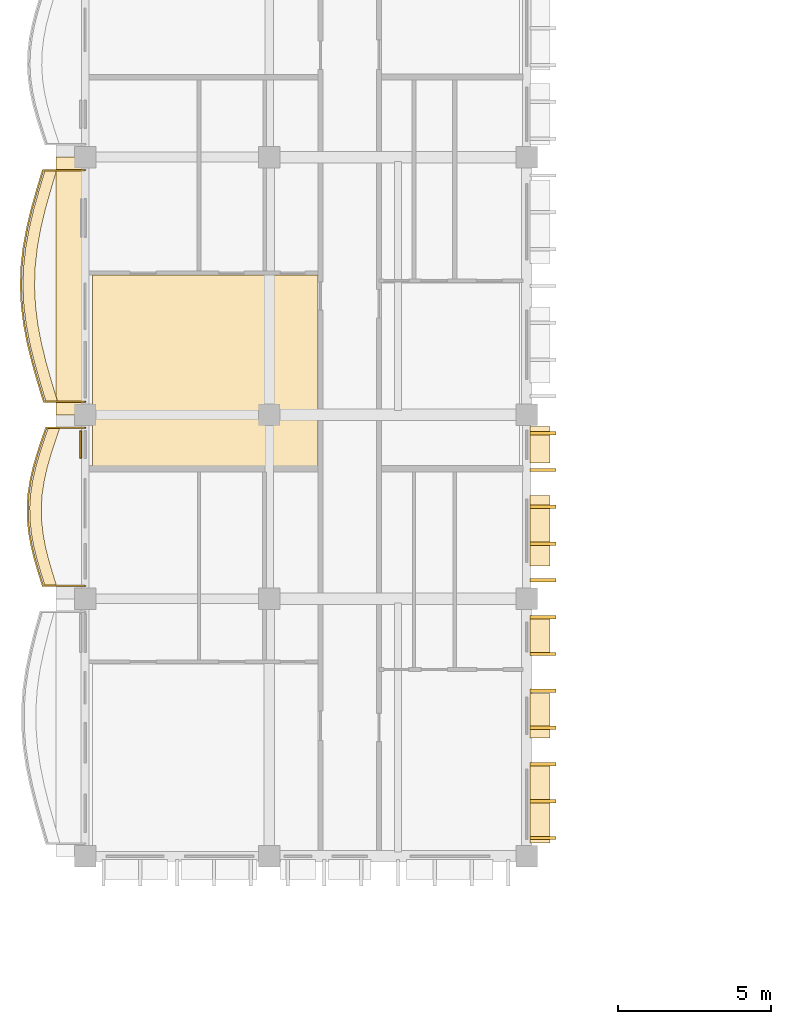
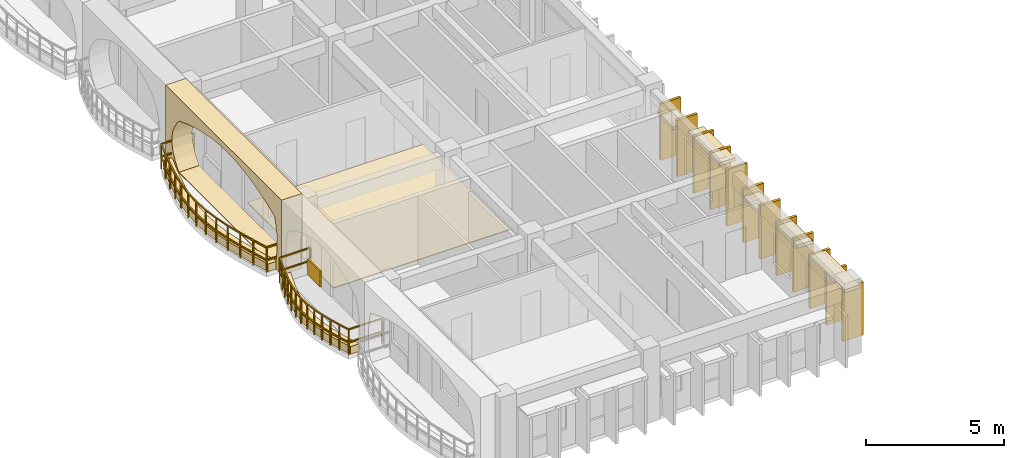
# One storey, part 78 of 101: 22 coverings, 2 railings.
"""IFC4 building model written with IfcOpenShell, lengths in metres."""

from ifc_helpers import new_model, si_unit, direction, frame, origin, origin_2d, place, context, subcontext, project, spatial, polyline, rectangle, outline, extrude, material, layer, layer_set, type_object, element, save


model = new_model("IFC4")

# Units and contexts
model_context = context("Model", 3, precision=1e-05, world=origin(), true_north=direction((0.0, 1.0)))
body_context = subcontext(model_context, "Body", "Model", "MODEL_VIEW")
ifc_project = project(units=[si_unit("LENGTHUNIT", "METRE"), si_unit("AREAUNIT", "SQUARE_METRE"), si_unit("VOLUMEUNIT", "CUBIC_METRE"), si_unit("PLANEANGLEUNIT", "RADIAN"), si_unit("MASSUNIT", "GRAM", prefix="KILO"), si_unit("THERMODYNAMICTEMPERATUREUNIT", "KELVIN")], contexts=[model_context])

# Site, building, storey
site_placement = place(None, origin())
site = spatial("IfcSite", under=ifc_project, at=site_placement, CompositionType="ELEMENT")
building_placement = place(site_placement, origin())
building = spatial("IfcBuilding", under=site, at=building_placement, Name="Thalorik Housing Commons", CompositionType="ELEMENT")
storey_placement = place(building_placement, frame((0.0, 0.0, 8.10009765625)))
storey = spatial("IfcBuildingStorey", under=building, at=storey_placement, Name="L02", CompositionType="ELEMENT", Elevation=8.10009765625)

# Coverings
ifc_material_1 = material(Name="Cobalt blue glazed ceramic facade tile panel", Category="masonry")
ifc_layer_1 = layer(ifc_material_1, 0.06005859375, Name="Cobalt blue glazed ceramic facade tile panel", Category="masonry")
ifc_layer_set_1 = layer_set([ifc_layer_1], Name="Cobalt blue glazed ceramic facade tile panel")
covering_type_1 = type_object("IfcCoveringType", Name="ARC-CLD-BLU-60", PredefinedType="CLADDING", material=ifc_layer_set_1)
covering_1_placement = place(storey_placement, frame((8.257568359375, 85.425048828125, 0.0498046875), z_axis=(0.0, 0.0, 1.0), x_axis=(0.0, -1.0, 0.0)))
element("IfcCovering", 1, at=covering_1_placement, inside=storey, type_object=covering_type_1, Name="L02 De Stijl Recessed Window Spandrel 203", PredefinedType="CLADDING", context=body_context, shape_type="SweptSolid", body=[
    extrude(rectangle(XDim=0.89990234375, YDim=0.06005859375, at=origin_2d()), origin(), (0.0, 0.0, 1.0), 0.699951171875),
])
ifc_material_2 = material(Name="Precast concrete C40/50", Category="concrete")
ifc_layer_2 = layer(ifc_material_2, 0.85009765625, Name="Precast concrete C40/50", Category="concrete")
ifc_layer_set_2 = layer_set([ifc_layer_2], Name="Precast concrete C40/50")
covering_type_2 = type_object("IfcCoveringType", Name="ARC-CLD-CUSH-850", PredefinedType="CLADDING", material=ifc_layer_set_2)
covering_2_placement = place(storey_placement, frame((7.867431640625, 90.60009765625, 0.0), z_axis=(0.0, 0.0, 1.0), x_axis=(0.0, -1.0, 0.0)))
element("IfcCovering", 2, at=covering_2_placement, inside=storey, type_object=covering_type_2, Name="L02 White Precast Curved Cushion Bay Frame 200", PredefinedType="CLADDING", context=body_context, shape_type="SweptSolid", body=[
    extrude(outline(polyline([(-4.199951171875, 0.0), (4.199951171875, 0.0), (4.199951171875, 3.300048828125), (-4.199951171875, 3.300048828125), (-4.199951171875, 0.0)]), holes=[polyline([(3.6923828125, 0.02490234375), (3.799560546875, 0.40087890625), (3.864013671875, 0.776611328125), (3.885498046875, 1.152587890625), (3.864013671875, 1.5283203125), (3.799560546875, 1.904296875), (3.6923828125, 2.280029296875), (3.11474609375, 2.51123046875), (2.537109375, 2.693115234375), (1.95947265625, 2.840087890625), (1.381591796875, 2.94970703125), (0.803955078125, 3.01708984375), (0.226318359375, 3.0400390625), (-0.3515625, 3.01708984375), (-0.92919921875, 2.94970703125), (-1.5068359375, 2.840087890625), (-2.084716796875, 2.693115234375), (-2.662353515625, 2.51123046875), (-3.239990234375, 2.280029296875), (-3.523193359375, 1.904296875), (-3.693359375, 1.5283203125), (-3.75, 1.152587890625), (-3.693359375, 0.776611328125), (-3.523193359375, 0.40087890625), (-3.239990234375, 0.02490234375), (3.6923828125, 0.02490234375)])]), frame((0.0, 0.425048828125, 0.0), z_axis=(0.0, -1.0, 0.0), x_axis=(1.0, 0.0, 0.0)), (0.0, 0.0, 1.0), 0.85009765625),
])
ifc_layer_3 = layer(ifc_material_2, 0.85009765625, Name="Precast concrete C40/50", Category="concrete")
ifc_layer_set_3 = layer_set([ifc_layer_3], Name="Precast concrete C40/50")
covering_type_3 = type_object("IfcCoveringType", Name="ARC-CLD-FIN-850", PredefinedType="CLADDING", material=ifc_layer_set_3)
for number, where, z_axis, x_axis, name in (
    (3, (23.33251953125, 72.60009765625, 0.0400390625), (0.0, 0.0, 1.0), (0.0, 1.0, 0.0), "L02 Courtyard Precast Vertical Brise-Soleil Fin 223"),
    (4, (23.33251953125, 73.800048828125, 0.0400390625), (0.0, 0.0, 1.0), (0.0, 1.0, 0.0), "L02 Courtyard Precast Vertical Brise-Soleil Fin 224"),
    (5, (23.33251953125, 75.0, 0.0400390625), (0.0, 0.0, 1.0), (0.0, 1.0, 0.0), "L02 Courtyard Precast Vertical Brise-Soleil Fin 225"),
    (6, (23.33251953125, 76.199951171875, 0.0400390625), (0.0, 0.0, 1.0), (0.0, 1.0, 0.0), "L02 Courtyard Precast Vertical Brise-Soleil Fin 226"),
    (7, (23.33251953125, 77.39990234375, 0.0400390625), (0.0, 0.0, 1.0), (0.0, 1.0, 0.0), "L02 Courtyard Precast Vertical Brise-Soleil Fin 227"),
    (8, (23.33251953125, 78.60009765625, 0.0400390625), (0.0, 0.0, 1.0), (0.0, 1.0, 0.0), "L02 Courtyard Precast Vertical Brise-Soleil Fin 228"),
    (9, (23.33251953125, 79.800048828125, 0.0400390625), (0.0, 0.0, 1.0), (0.0, 1.0, 0.0), "L02 Courtyard Precast Vertical Brise-Soleil Fin 229"),
):
    element("IfcCovering", number, at=place(storey_placement, frame(where, z_axis=z_axis, x_axis=x_axis)), inside=storey, type_object=covering_type_3, Name=name, PredefinedType="CLADDING", context=body_context, shape_type="SweptSolid", body=[
        extrude(rectangle(XDim=0.110107421875, YDim=0.85009765625, at=origin_2d()), origin(), (0.0, 0.0, 1.0), 2.344970703125),
    ])
for number, where, z_axis, x_axis, name in (
    (10, (23.33251953125, 81.0, 0.039794921875), (0.0, 0.0, 1.0), (0.0, 1.0, 0.0), "L02 Courtyard Precast Vertical Brise-Soleil Fin 233"),
    (11, (23.33251953125, 82.199951171875, 0.039794921875), (0.0, 0.0, 1.0), (0.0, 1.0, 0.0), "L02 Courtyard Precast Vertical Brise-Soleil Fin 234"),
    (12, (23.33251953125, 83.39990234375, 0.039794921875), (0.0, 0.0, 1.0), (0.0, 1.0, 0.0), "L02 Courtyard Precast Vertical Brise-Soleil Fin 235"),
    (13, (23.33251953125, 84.60009765625, 0.039794921875), (0.0, 0.0, 1.0), (0.0, 1.0, 0.0), "L02 Courtyard Precast Vertical Brise-Soleil Fin 236"),
    (14, (23.33251953125, 85.800048828125, 0.039794921875), (0.0, 0.0, 1.0), (0.0, 1.0, 0.0), "L02 Courtyard Precast Vertical Brise-Soleil Fin 237"),
):
    element("IfcCovering", number, at=place(storey_placement, frame(where, z_axis=z_axis, x_axis=x_axis)), inside=storey, type_object=covering_type_3, Name=name, PredefinedType="CLADDING", context=body_context, shape_type="SweptSolid", body=[
        extrude(rectangle(XDim=0.110107421875, YDim=0.85009765625, at=origin_2d()), origin(), (0.0, 0.0, 1.0), 2.4951171875),
    ])
ifc_layer_4 = layer(ifc_material_2, 0.64990234375, Name="Precast concrete C40/50", Category="concrete")
ifc_layer_set_4 = layer_set([ifc_layer_4], Name="Precast concrete C40/50")
covering_type_4 = type_object("IfcCoveringType", Name="ARC-CLD-HOOD-650", PredefinedType="CLADDING", material=ifc_layer_set_4)
covering_3_placement = place(storey_placement, frame((23.232421875, 73.7021484375, 2.25), z_axis=(0.0, 0.0, 1.0), x_axis=(0.0, 1.0, 0.0)))
element("IfcCovering", 15, at=covering_3_placement, inside=storey, type_object=covering_type_4, Name="L02 Courtyard Precast Window Sun-Hood 230", PredefinedType="CLADDING", context=body_context, shape_type="SweptSolid", body=[
    extrude(rectangle(XDim=2.52001953125, YDim=0.64990234375, at=origin_2d()), origin(), (0.0, 0.0, 1.0), 0.139892578125),
])
covering_4_placement = place(storey_placement, frame((23.232421875, 76.586181640625, 2.14013671875), z_axis=(0.0, 0.0, 1.0), x_axis=(0.0, 1.0, 0.0)))
element("IfcCovering", 16, at=covering_4_placement, inside=storey, type_object=covering_type_4, Name="L02 Courtyard Precast Window Sun-Hood 231", PredefinedType="CLADDING", context=body_context, shape_type="SweptSolid", body=[
    extrude(rectangle(XDim=1.43994140625, YDim=0.64990234375, at=origin_2d()), origin(), (0.0, 0.0, 1.0), 0.139892578125),
])
covering_5_placement = place(storey_placement, frame((23.232421875, 79.154296875, 1.93994140625), z_axis=(0.0, 0.0, 1.0), x_axis=(0.0, 1.0, 0.0)))
element("IfcCovering", 17, at=covering_5_placement, inside=storey, type_object=covering_type_4, Name="L02 Courtyard Precast Window Sun-Hood 232", PredefinedType="CLADDING", context=body_context, shape_type="SweptSolid", body=[
    extrude(rectangle(XDim=1.18994140625, YDim=0.64990234375, at=origin_2d()), origin(), (0.0, 0.0, 1.0), 0.139892578125),
])
covering_6_placement = place(storey_placement, frame((23.232421875, 82.614990234375, 2.39013671875), z_axis=(0.0, 0.0, 1.0), x_axis=(0.0, 1.0, 0.0)))
element("IfcCovering", 18, at=covering_6_placement, inside=storey, type_object=covering_type_4, Name="L02 Courtyard Precast Window Sun-Hood 238", PredefinedType="CLADDING", context=body_context, shape_type="SweptSolid", body=[
    extrude(rectangle(XDim=2.2900390625, YDim=0.64990234375, at=origin_2d()), origin(), (0.0, 0.0, 1.0), 0.139892578125),
])
covering_7_placement = place(storey_placement, frame((23.232421875, 85.425048828125, 1.93994140625), z_axis=(0.0, 0.0, 1.0), x_axis=(0.0, 1.0, 0.0)))
element("IfcCovering", 19, at=covering_7_placement, inside=storey, type_object=covering_type_4, Name="L02 Courtyard Precast Window Sun-Hood 239", PredefinedType="CLADDING", context=body_context, shape_type="SweptSolid", body=[
    extrude(rectangle(XDim=1.18994140625, YDim=0.64990234375, at=origin_2d()), origin(), (0.0, 0.0, 1.0), 0.139892578125),
])
ifc_material_3 = material(Name="Epoxy-sealed concrete plant and bicycle hub finish", Category="concrete")
ifc_layer_5 = layer(ifc_material_3, 0.031982421875, Name="Epoxy-sealed concrete plant and bicycle hub finish", Category="concrete")
ifc_layer_set_5 = layer_set([ifc_layer_5], Name="Epoxy-sealed concrete plant and bicycle hub finish")
covering_type_5 = type_object("IfcCoveringType", Name="ARC-COV-FLR-06", PredefinedType="FLOORING", material=ifc_layer_set_5)
covering_8_placement = place(storey_placement, origin())
element("IfcCovering", 20, at=covering_8_placement, inside=storey, type_object=covering_type_5, Name="L02 Living Dining Room Flooring", PredefinedType="FLOORING", context=body_context, shape_type="SweptSolid", body=[
    extrude(outline(polyline([(16.0, 90.955078125), (8.639892578125, 90.955078125), (8.639892578125, 84.719970703125), (16.0, 84.719970703125), (16.0, 90.955078125)])), origin(), (0.0, 0.0, 1.0), 0.031982421875),
])
ifc_material_4 = material(Name="Planted vegetated substrate and terracotta trough", Category="masonry")
ifc_layer_6 = layer(ifc_material_4, 0.340087890625, Name="Planted vegetated substrate and terracotta trough", Category="masonry")
ifc_layer_set_6 = layer_set([ifc_layer_6], Name="Planted vegetated substrate and terracotta trough")
covering_type_6 = type_object("IfcCoveringType", Name="ARC-COV-PLANTER", PredefinedType="USERDEFINED", material=ifc_layer_set_6)
covering_9_placement = place(storey_placement, origin())
element("IfcCovering", 21, at=covering_9_placement, inside=storey, type_object=covering_type_6, Name="L02 Balcony Slab-Edge Planted Trough 5323", ObjectType="PLANTER", PredefinedType="USERDEFINED", context=body_context, shape_type="SweptSolid", body=[
    extrude(outline(polyline([(7.19921875, 85.97998046875), (7.051513671875, 85.550048828125), (6.910888671875, 85.1201171875), (6.787109375, 84.68994140625), (6.688720703125, 84.260009765625), (6.622314453125, 83.830078125), (6.592041015625, 83.39990234375), (6.60009765625, 82.969970703125), (6.64501953125, 82.5400390625), (6.7236328125, 82.110107421875), (6.829833984375, 81.679931640625), (6.95556640625, 81.25), (7.091796875, 80.820068359375), (7.4716796875, 80.820068359375), (7.335693359375, 81.25), (7.209716796875, 81.679931640625), (7.103759765625, 82.110107421875), (7.025146484375, 82.5400390625), (6.97998046875, 82.969970703125), (6.97216796875, 83.39990234375), (7.002197265625, 83.830078125), (7.068603515625, 84.260009765625), (7.167236328125, 84.68994140625), (7.291015625, 85.1201171875), (7.431396484375, 85.550048828125), (7.5791015625, 85.97998046875), (7.19921875, 85.97998046875)])), origin(), (0.0, 0.0, 1.0), 0.33984375),
])
covering_10_placement = place(storey_placement, origin())
element("IfcCovering", 22, at=covering_10_placement, inside=storey, type_object=covering_type_6, Name="L02 Balcony Slab-Edge Planted Trough 5324", ObjectType="PLANTER", PredefinedType="USERDEFINED", context=body_context, shape_type="SweptSolid", body=[
    extrude(outline(polyline([(7.0947265625, 94.3798828125), (6.904296875, 93.75), (6.7275390625, 93.1201171875), (6.576904296875, 92.489990234375), (6.46240234375, 91.860107421875), (6.39208984375, 91.22998046875), (6.37109375, 90.60009765625), (6.400390625, 89.969970703125), (6.478515625, 89.340087890625), (6.599609375, 88.7099609375), (6.75537109375, 88.080078125), (6.934814453125, 87.449951171875), (7.125732421875, 86.820068359375), (7.505615234375, 86.820068359375), (7.314697265625, 87.449951171875), (7.13525390625, 88.080078125), (6.9794921875, 88.7099609375), (6.8583984375, 89.340087890625), (6.780517578125, 89.969970703125), (6.7509765625, 90.60009765625), (6.772216796875, 91.22998046875), (6.84228515625, 91.860107421875), (6.956787109375, 92.489990234375), (7.107666015625, 93.1201171875), (7.284423828125, 93.75), (7.474853515625, 94.3798828125), (7.0947265625, 94.3798828125)])), origin(), (0.0, 0.0, 1.0), 0.33984375),
])

# Railings
ifc_material_5 = material(Name="Steel S355", Category="steel")
railing_type_1 = type_object("IfcRailingType", Name="ARC-RL-BAL-112", PredefinedType="BALUSTRADE", material=ifc_material_5)
railing_1_placement = place(storey_placement, frame((8.39990234375, 94.3798828125, 0.0)))
element("IfcRailing", 23, at=railing_1_placement, inside=storey, type_object=railing_type_1, Name="L02 Cushion Balcony Guardrail 8", PredefinedType="BALUSTRADE", context=body_context, shape_type="SweptSolid", body=[
    extrude(rectangle(XDim=0.050048828125, YDim=0.050048828125, at=origin_2d()), frame((0.0, 0.0, 1.09521484375), z_axis=(-1.0, 0.0, 0.0), x_axis=(0.0, -1.0, 0.0)), (0.0, 0.0, 1.0), 1.375),
    extrude(rectangle(XDim=0.050048828125, YDim=0.050048828125, at=origin_2d()), frame((0.0, 0.0, 0.53515625), z_axis=(-1.0, 0.0, 0.0), x_axis=(0.0, -1.0, 0.0)), (0.0, 0.0, 1.0), 1.375),
    extrude(rectangle(XDim=0.050048828125, YDim=0.050048828125, at=origin_2d()), frame((-1.375, 0.0, 1.09521484375), z_axis=(-0.289389501276, -0.957211427299, 0.0), x_axis=(0.957211427299, -0.289389501276, 0.0)), (0.0, 0.0, 1.0), 0.657958984375),
    extrude(rectangle(XDim=0.050048828125, YDim=0.050048828125, at=origin_2d()), frame((-1.375, 0.0, 0.53515625), z_axis=(-0.289389501276, -0.957211427299, 0.0), x_axis=(0.957211427299, -0.289389501276, 0.0)), (0.0, 0.0, 1.0), 0.657958984375),
    extrude(rectangle(XDim=0.050048828125, YDim=0.050048828125, at=origin_2d()), frame((-1.5654296875, -0.6298828125, 1.09521484375), z_axis=(-0.270183563023, -0.962808829557, 0.0), x_axis=(0.962808829557, -0.270183563023, 0.0)), (0.0, 0.0, 1.0), 0.654296875),
    extrude(rectangle(XDim=0.050048828125, YDim=0.050048828125, at=origin_2d()), frame((-1.5654296875, -0.6298828125, 0.53515625), z_axis=(-0.270183563023, -0.962808829557, 0.0), x_axis=(0.962808829557, -0.270183563023, 0.0)), (0.0, 0.0, 1.0), 0.654296875),
    extrude(rectangle(XDim=0.050048828125, YDim=0.050048828125, at=origin_2d()), frame((-1.7421875, -1.259765625, 1.09521484375), z_axis=(-0.232859884688, -0.972510295114, 0.0), x_axis=(0.972510295114, -0.232859884688, 0.0)), (0.0, 0.0, 1.0), 0.64794921875),
    extrude(rectangle(XDim=0.050048828125, YDim=0.050048828125, at=origin_2d()), frame((-1.7421875, -1.259765625, 0.53515625), z_axis=(-0.232859884688, -0.972510295114, 0.0), x_axis=(0.972510295114, -0.232859884688, 0.0)), (0.0, 0.0, 1.0), 0.64794921875),
    extrude(rectangle(XDim=0.050048828125, YDim=0.050048828125, at=origin_2d()), frame((-1.89306640625, -1.889892578125, 1.09521484375), z_axis=(-0.178851879534, -0.983876011084, 0.0), x_axis=(0.983876011084, -0.178851879534, 0.0)), (0.0, 0.0, 1.0), 0.64013671875),
    extrude(rectangle(XDim=0.050048828125, YDim=0.050048828125, at=origin_2d()), frame((-1.89306640625, -1.889892578125, 0.53515625), z_axis=(-0.178851879534, -0.983876011084, 0.0), x_axis=(0.983876011084, -0.178851879534, 0.0)), (0.0, 0.0, 1.0), 0.64013671875),
    extrude(rectangle(XDim=0.050048828125, YDim=0.050048828125, at=origin_2d()), frame((-2.007568359375, -2.519775390625, 1.09521484375), z_axis=(-0.110896399817, -0.993831971969, 0.0), x_axis=(0.993831971969, -0.110896399817, 0.0)), (0.0, 0.0, 1.0), 0.634033203125),
    extrude(rectangle(XDim=0.050048828125, YDim=0.050048828125, at=origin_2d()), frame((-2.007568359375, -2.519775390625, 0.53515625), z_axis=(-0.110896399817, -0.993831971969, 0.0), x_axis=(0.993831971969, -0.110896399817, 0.0)), (0.0, 0.0, 1.0), 0.634033203125),
    extrude(rectangle(XDim=0.050048828125, YDim=0.050048828125, at=origin_2d()), frame((-2.077880859375, -3.14990234375, 1.09521484375), z_axis=(-0.033314830233, -0.999444906979, 0.0), x_axis=(0.999444906979, -0.033314830233, 0.0)), (0.0, 0.0, 1.0), 0.630126953125),
    extrude(rectangle(XDim=0.050048828125, YDim=0.050048828125, at=origin_2d()), frame((-2.077880859375, -3.14990234375, 0.53515625), z_axis=(-0.033314830233, -0.999444906979, 0.0), x_axis=(0.999444906979, -0.033314830233, 0.0)), (0.0, 0.0, 1.0), 0.630126953125),
    extrude(rectangle(XDim=0.050048828125, YDim=0.050048828125, at=origin_2d()), frame((-2.098876953125, -3.77978515625, 1.09521484375), z_axis=(0.046829620253, -0.99890289151, 0.0), x_axis=(0.99890289151, 0.046829620253, 0.0)), (0.0, 0.0, 1.0), 0.630859375),
    extrude(rectangle(XDim=0.050048828125, YDim=0.050048828125, at=origin_2d()), frame((-2.098876953125, -3.77978515625, 0.53515625), z_axis=(0.046829620253, -0.99890289151, 0.0), x_axis=(0.99890289151, 0.046829620253, 0.0)), (0.0, 0.0, 1.0), 0.630859375),
    extrude(rectangle(XDim=0.050048828125, YDim=0.050048828125, at=origin_2d()), frame((-2.0693359375, -4.409912109375, 1.09521484375), z_axis=(0.122708999793, -0.99244269425, 0.0), x_axis=(0.99244269425, 0.122708999793, 0.0)), (0.0, 0.0, 1.0), 0.634765625),
    extrude(rectangle(XDim=0.050048828125, YDim=0.050048828125, at=origin_2d()), frame((-2.0693359375, -4.409912109375, 0.53515625), z_axis=(0.122708999793, -0.99244269425, 0.0), x_axis=(0.99244269425, 0.122708999793, 0.0)), (0.0, 0.0, 1.0), 0.634765625),
    extrude(rectangle(XDim=0.050048828125, YDim=0.050048828125, at=origin_2d()), frame((-1.991455078125, -5.039794921875, 1.09521484375), z_axis=(0.188720382932, -0.982030863602, 0.0), x_axis=(0.982030863602, 0.188720382932, 0.0)), (0.0, 0.0, 1.0), 0.6416015625),
    extrude(rectangle(XDim=0.050048828125, YDim=0.050048828125, at=origin_2d()), frame((-1.991455078125, -5.039794921875, 0.53515625), z_axis=(0.188720382932, -0.982030863602, 0.0), x_axis=(0.982030863602, 0.188720382932, 0.0)), (0.0, 0.0, 1.0), 0.6416015625),
    extrude(rectangle(XDim=0.050048828125, YDim=0.050048828125, at=origin_2d()), frame((-1.870361328125, -5.669921875, 1.09521484375), z_axis=(0.240055922764, -0.970759060708, 0.0), x_axis=(0.970759060708, 0.240055922764, 0.0)), (0.0, 0.0, 1.0), 0.64892578125),
    extrude(rectangle(XDim=0.050048828125, YDim=0.050048828125, at=origin_2d()), frame((-1.870361328125, -5.669921875, 0.53515625), z_axis=(0.240055922764, -0.970759060708, 0.0), x_axis=(0.970759060708, 0.240055922764, 0.0)), (0.0, 0.0, 1.0), 0.64892578125),
    extrude(rectangle(XDim=0.050048828125, YDim=0.050048828125, at=origin_2d()), frame((-1.714599609375, -6.2998046875, 1.09521484375), z_axis=(0.273884360081, -0.961762630436, 0.0), x_axis=(0.961762630436, 0.273884360081, 0.0)), (0.0, 0.0, 1.0), 0.6552734375),
    extrude(rectangle(XDim=0.050048828125, YDim=0.050048828125, at=origin_2d()), frame((-1.714599609375, -6.2998046875, 0.53515625), z_axis=(0.273884360081, -0.961762630436, 0.0), x_axis=(0.961762630436, 0.273884360081, 0.0)), (0.0, 0.0, 1.0), 0.6552734375),
    extrude(rectangle(XDim=0.050048828125, YDim=0.050048828125, at=origin_2d()), frame((-1.53515625, -6.929931640625, 1.09521484375), z_axis=(0.290069164756, -0.957005684235, 0.0), x_axis=(0.957005684235, 0.290069164756, 0.0)), (0.0, 0.0, 1.0), 0.658203125),
    extrude(rectangle(XDim=0.050048828125, YDim=0.050048828125, at=origin_2d()), frame((-1.53515625, -6.929931640625, 0.53515625), z_axis=(0.290069164756, -0.957005684235, 0.0), x_axis=(0.957005684235, 0.290069164756, 0.0)), (0.0, 0.0, 1.0), 0.658203125),
    extrude(rectangle(XDim=0.050048828125, YDim=0.050048828125, at=origin_2d()), frame((-1.34423828125, -7.559814453125, 1.09521484375), z_axis=(1.0, 0.0, 0.0), x_axis=(0.0, 1.0, 0.0)), (0.0, 0.0, 1.0), 1.34423828125),
    extrude(rectangle(XDim=0.050048828125, YDim=0.050048828125, at=origin_2d()), frame((-1.34423828125, -7.559814453125, 0.53515625), z_axis=(1.0, 0.0, 0.0), x_axis=(0.0, 1.0, 0.0)), (0.0, 0.0, 1.0), 1.34423828125),
    extrude(rectangle(XDim=0.0419921875, YDim=0.0419921875, at=origin_2d()), origin(), (0.0, 0.0, 1.0), 1.070068359375),
    extrude(rectangle(XDim=0.0419921875, YDim=0.0419921875, at=origin_2d()), frame((-1.375, 0.0, 0.0)), (0.0, 0.0, 1.0), 1.070068359375),
    extrude(rectangle(XDim=0.0419921875, YDim=0.0419921875, at=origin_2d()), frame((-1.5654296875, -0.6298828125, 0.0)), (0.0, 0.0, 1.0), 1.070068359375),
    extrude(rectangle(XDim=0.0419921875, YDim=0.0419921875, at=origin_2d()), frame((-1.7421875, -1.259765625, 0.0)), (0.0, 0.0, 1.0), 1.070068359375),
    extrude(rectangle(XDim=0.0419921875, YDim=0.0419921875, at=origin_2d()), frame((-1.89306640625, -1.889892578125, 0.0)), (0.0, 0.0, 1.0), 1.070068359375),
    extrude(rectangle(XDim=0.0419921875, YDim=0.0419921875, at=origin_2d()), frame((-2.007568359375, -2.519775390625, 0.0)), (0.0, 0.0, 1.0), 1.070068359375),
    extrude(rectangle(XDim=0.0419921875, YDim=0.0419921875, at=origin_2d()), frame((-2.077880859375, -3.14990234375, 0.0)), (0.0, 0.0, 1.0), 1.070068359375),
    extrude(rectangle(XDim=0.0419921875, YDim=0.0419921875, at=origin_2d()), frame((-2.098876953125, -3.77978515625, 0.0)), (0.0, 0.0, 1.0), 1.070068359375),
    extrude(rectangle(XDim=0.0419921875, YDim=0.0419921875, at=origin_2d()), frame((-2.0693359375, -4.409912109375, 0.0)), (0.0, 0.0, 1.0), 1.070068359375),
    extrude(rectangle(XDim=0.0419921875, YDim=0.0419921875, at=origin_2d()), frame((-1.991455078125, -5.039794921875, 0.0)), (0.0, 0.0, 1.0), 1.070068359375),
    extrude(rectangle(XDim=0.0419921875, YDim=0.0419921875, at=origin_2d()), frame((-1.870361328125, -5.669921875, 0.0)), (0.0, 0.0, 1.0), 1.070068359375),
    extrude(rectangle(XDim=0.0419921875, YDim=0.0419921875, at=origin_2d()), frame((-1.714599609375, -6.2998046875, 0.0)), (0.0, 0.0, 1.0), 1.070068359375),
    extrude(rectangle(XDim=0.0419921875, YDim=0.0419921875, at=origin_2d()), frame((-1.53515625, -6.929931640625, 0.0)), (0.0, 0.0, 1.0), 1.070068359375),
    extrude(rectangle(XDim=0.0419921875, YDim=0.0419921875, at=origin_2d()), frame((-1.34423828125, -7.559814453125, 0.0)), (0.0, 0.0, 1.0), 1.070068359375),
    extrude(rectangle(XDim=0.0419921875, YDim=0.0419921875, at=origin_2d()), frame((0.0, -7.559814453125, 0.0)), (0.0, 0.0, 1.0), 1.070068359375),
])
railing_type_2 = type_object("IfcRailingType", Name="ARC-RL-BAL-115", PredefinedType="BALUSTRADE", material=ifc_material_5)
railing_2_placement = place(storey_placement, frame((8.39990234375, 85.97998046875, 0.0)))
element("IfcRailing", 24, at=railing_2_placement, inside=storey, type_object=railing_type_2, Name="L02 Cushion Balcony Guardrail 7", PredefinedType="BALUSTRADE", context=body_context, shape_type="SweptSolid", body=[
    extrude(rectangle(XDim=0.050048828125, YDim=0.050048828125, at=origin_2d()), frame((0.0, 0.0, 1.125), z_axis=(-1.0, 0.0, 0.0), x_axis=(0.0, -1.0, 0.0)), (0.0, 0.0, 1.0), 1.270751953125),
    extrude(rectangle(XDim=0.050048828125, YDim=0.050048828125, at=origin_2d()), frame((0.0, 0.0, 0.5498046875), z_axis=(-1.0, 0.0, 0.0), x_axis=(0.0, -1.0, 0.0)), (0.0, 0.0, 1.0), 1.270751953125),
    extrude(rectangle(XDim=0.050048828125, YDim=0.050048828125, at=origin_2d()), frame((-1.270751953125, 0.0, 1.125), z_axis=(-0.324914662022, -0.945743338546, 0.0), x_axis=(0.945743338546, -0.324914662022, 0.0)), (0.0, 0.0, 1.0), 0.45458984375),
    extrude(rectangle(XDim=0.050048828125, YDim=0.050048828125, at=origin_2d()), frame((-1.270751953125, 0.0, 0.5498046875), z_axis=(-0.324914662022, -0.945743338546, 0.0), x_axis=(0.945743338546, -0.324914662022, 0.0)), (0.0, 0.0, 1.0), 0.45458984375),
    extrude(rectangle(XDim=0.050048828125, YDim=0.050048828125, at=origin_2d()), frame((-1.41845703125, -0.429931640625, 1.125), z_axis=(-0.310391826564, -0.950608707094, 0.0), x_axis=(0.950608707094, -0.310391826564, 0.0)), (0.0, 0.0, 1.0), 0.4521484375),
    extrude(rectangle(XDim=0.050048828125, YDim=0.050048828125, at=origin_2d()), frame((-1.41845703125, -0.429931640625, 0.5498046875), z_axis=(-0.310391826564, -0.950608707094, 0.0), x_axis=(0.950608707094, -0.310391826564, 0.0)), (0.0, 0.0, 1.0), 0.4521484375),
    extrude(rectangle(XDim=0.050048828125, YDim=0.050048828125, at=origin_2d()), frame((-1.558837890625, -0.85986328125, 1.125), z_axis=(-0.27652151933, -0.961007725956, 0.0), x_axis=(0.961007725956, -0.27652151933, 0.0)), (0.0, 0.0, 1.0), 0.447509765625),
    extrude(rectangle(XDim=0.050048828125, YDim=0.050048828125, at=origin_2d()), frame((-1.558837890625, -0.85986328125, 0.5498046875), z_axis=(-0.27652151933, -0.961007725956, 0.0), x_axis=(0.961007725956, -0.27652151933, 0.0)), (0.0, 0.0, 1.0), 0.447509765625),
    extrude(rectangle(XDim=0.050048828125, YDim=0.050048828125, at=origin_2d()), frame((-1.6826171875, -1.2900390625, 1.125), z_axis=(-0.2236062155, -0.974679568058, 0.0), x_axis=(0.974679568058, -0.2236062155, 0.0)), (0.0, 0.0, 1.0), 0.441162109375),
    extrude(rectangle(XDim=0.050048828125, YDim=0.050048828125, at=origin_2d()), frame((-1.6826171875, -1.2900390625, 0.5498046875), z_axis=(-0.2236062155, -0.974679568058, 0.0), x_axis=(0.974679568058, -0.2236062155, 0.0)), (0.0, 0.0, 1.0), 0.441162109375),
    extrude(rectangle(XDim=0.050048828125, YDim=0.050048828125, at=origin_2d()), frame((-1.78125, -1.719970703125, 1.125), z_axis=(-0.152647556976, -0.988280690568, 0.0), x_axis=(0.988280690568, -0.152647556976, 0.0)), (0.0, 0.0, 1.0), 0.43505859375),
    extrude(rectangle(XDim=0.050048828125, YDim=0.050048828125, at=origin_2d()), frame((-1.78125, -1.719970703125, 0.5498046875), z_axis=(-0.152647556976, -0.988280690568, 0.0), x_axis=(0.988280690568, -0.152647556976, 0.0)), (0.0, 0.0, 1.0), 0.43505859375),
    extrude(rectangle(XDim=0.050048828125, YDim=0.050048828125, at=origin_2d()), frame((-1.84765625, -2.14990234375, 1.125), z_axis=(-0.069637570936, -0.997572357633, 0.0), x_axis=(0.997572357633, -0.069637570936, 0.0)), (0.0, 0.0, 1.0), 0.43115234375),
    extrude(rectangle(XDim=0.050048828125, YDim=0.050048828125, at=origin_2d()), frame((-1.84765625, -2.14990234375, 0.5498046875), z_axis=(-0.069637570936, -0.997572357633, 0.0), x_axis=(0.997572357633, -0.069637570936, 0.0)), (0.0, 0.0, 1.0), 0.43115234375),
    extrude(rectangle(XDim=0.050048828125, YDim=0.050048828125, at=origin_2d()), frame((-1.877685546875, -2.580078125, 1.125), z_axis=(0.01816849407, -0.999834939289, 0.0), x_axis=(0.999834939289, 0.01816849407, 0.0)), (0.0, 0.0, 1.0), 0.429931640625),
    extrude(rectangle(XDim=0.050048828125, YDim=0.050048828125, at=origin_2d()), frame((-1.877685546875, -2.580078125, 0.5498046875), z_axis=(0.01816849407, -0.999834939289, 0.0), x_axis=(0.999834939289, 0.01816849407, 0.0)), (0.0, 0.0, 1.0), 0.429931640625),
    extrude(rectangle(XDim=0.050048828125, YDim=0.050048828125, at=origin_2d()), frame((-1.869873046875, -3.010009765625, 1.125), z_axis=(0.104478996176, -0.994527093325, 0.0), x_axis=(0.994527093325, 0.104478996176, 0.0)), (0.0, 0.0, 1.0), 0.432373046875),
    extrude(rectangle(XDim=0.050048828125, YDim=0.050048828125, at=origin_2d()), frame((-1.869873046875, -3.010009765625, 0.5498046875), z_axis=(0.104478996176, -0.994527093325, 0.0), x_axis=(0.994527093325, 0.104478996176, 0.0)), (0.0, 0.0, 1.0), 0.432373046875),
    extrude(rectangle(XDim=0.050048828125, YDim=0.050048828125, at=origin_2d()), frame((-1.82470703125, -3.43994140625, 1.125), z_axis=(0.179868480961, -0.983690667617, 0.0), x_axis=(0.983690667617, 0.179868480961, 0.0)), (0.0, 0.0, 1.0), 0.43701171875),
    extrude(rectangle(XDim=0.050048828125, YDim=0.050048828125, at=origin_2d()), frame((-1.82470703125, -3.43994140625, 0.5498046875), z_axis=(0.179868480961, -0.983690667617, 0.0), x_axis=(0.983690667617, 0.179868480961, 0.0)), (0.0, 0.0, 1.0), 0.43701171875),
    extrude(rectangle(XDim=0.050048828125, YDim=0.050048828125, at=origin_2d()), frame((-1.74609375, -3.869873046875, 1.125), z_axis=(0.239162929343, -0.970979450466, 0.0), x_axis=(0.970979450466, 0.239162929343, 0.0)), (0.0, 0.0, 1.0), 0.443115234375),
    extrude(rectangle(XDim=0.050048828125, YDim=0.050048828125, at=origin_2d()), frame((-1.74609375, -3.869873046875, 0.5498046875), z_axis=(0.239162929343, -0.970979450466, 0.0), x_axis=(0.970979450466, 0.239162929343, 0.0)), (0.0, 0.0, 1.0), 0.443115234375),
    extrude(rectangle(XDim=0.050048828125, YDim=0.050048828125, at=origin_2d()), frame((-1.64013671875, -4.300048828125, 1.125), z_axis=(0.280690589897, -0.959798308367, 0.0), x_axis=(0.959798308367, 0.280690589897, 0.0)), (0.0, 0.0, 1.0), 0.447998046875),
    extrude(rectangle(XDim=0.050048828125, YDim=0.050048828125, at=origin_2d()), frame((-1.64013671875, -4.300048828125, 0.5498046875), z_axis=(0.280690589897, -0.959798308367, 0.0), x_axis=(0.959798308367, 0.280690589897, 0.0)), (0.0, 0.0, 1.0), 0.447998046875),
    extrude(rectangle(XDim=0.050048828125, YDim=0.050048828125, at=origin_2d()), frame((-1.514404296875, -4.72998046875, 1.125), z_axis=(0.302063898652, -0.953287680153, 0.0), x_axis=(0.953287680153, 0.302063898652, 0.0)), (0.0, 0.0, 1.0), 0.450927734375),
    extrude(rectangle(XDim=0.050048828125, YDim=0.050048828125, at=origin_2d()), frame((-1.514404296875, -4.72998046875, 0.5498046875), z_axis=(0.302063898652, -0.953287680153, 0.0), x_axis=(0.953287680153, 0.302063898652, 0.0)), (0.0, 0.0, 1.0), 0.450927734375),
    extrude(rectangle(XDim=0.050048828125, YDim=0.050048828125, at=origin_2d()), frame((-1.378173828125, -5.159912109375, 1.125), z_axis=(1.0, 0.0, 0.0), x_axis=(0.0, 1.0, 0.0)), (0.0, 0.0, 1.0), 1.378173828125),
    extrude(rectangle(XDim=0.050048828125, YDim=0.050048828125, at=origin_2d()), frame((-1.378173828125, -5.159912109375, 0.5498046875), z_axis=(1.0, 0.0, 0.0), x_axis=(0.0, 1.0, 0.0)), (0.0, 0.0, 1.0), 1.378173828125),
    extrude(rectangle(XDim=0.0419921875, YDim=0.0419921875, at=origin_2d()), origin(), (0.0, 0.0, 1.0), 1.099853515625),
    extrude(rectangle(XDim=0.0419921875, YDim=0.0419921875, at=origin_2d()), frame((-1.270751953125, 0.0, 0.0)), (0.0, 0.0, 1.0), 1.099853515625),
    extrude(rectangle(XDim=0.0419921875, YDim=0.0419921875, at=origin_2d()), frame((-1.41845703125, -0.429931640625, 0.0)), (0.0, 0.0, 1.0), 1.099853515625),
    extrude(rectangle(XDim=0.0419921875, YDim=0.0419921875, at=origin_2d()), frame((-1.558837890625, -0.85986328125, 0.0)), (0.0, 0.0, 1.0), 1.099853515625),
    extrude(rectangle(XDim=0.0419921875, YDim=0.0419921875, at=origin_2d()), frame((-1.6826171875, -1.2900390625, 0.0)), (0.0, 0.0, 1.0), 1.099853515625),
    extrude(rectangle(XDim=0.0419921875, YDim=0.0419921875, at=origin_2d()), frame((-1.78125, -1.719970703125, 0.0)), (0.0, 0.0, 1.0), 1.099853515625),
    extrude(rectangle(XDim=0.0419921875, YDim=0.0419921875, at=origin_2d()), frame((-1.84765625, -2.14990234375, 0.0)), (0.0, 0.0, 1.0), 1.099853515625),
    extrude(rectangle(XDim=0.0419921875, YDim=0.0419921875, at=origin_2d()), frame((-1.877685546875, -2.580078125, 0.0)), (0.0, 0.0, 1.0), 1.099853515625),
    extrude(rectangle(XDim=0.0419921875, YDim=0.0419921875, at=origin_2d()), frame((-1.869873046875, -3.010009765625, 0.0)), (0.0, 0.0, 1.0), 1.099853515625),
    extrude(rectangle(XDim=0.0419921875, YDim=0.0419921875, at=origin_2d()), frame((-1.82470703125, -3.43994140625, 0.0)), (0.0, 0.0, 1.0), 1.099853515625),
    extrude(rectangle(XDim=0.0419921875, YDim=0.0419921875, at=origin_2d()), frame((-1.74609375, -3.869873046875, 0.0)), (0.0, 0.0, 1.0), 1.099853515625),
    extrude(rectangle(XDim=0.0419921875, YDim=0.0419921875, at=origin_2d()), frame((-1.64013671875, -4.300048828125, 0.0)), (0.0, 0.0, 1.0), 1.099853515625),
    extrude(rectangle(XDim=0.0419921875, YDim=0.0419921875, at=origin_2d()), frame((-1.514404296875, -4.72998046875, 0.0)), (0.0, 0.0, 1.0), 1.099853515625),
    extrude(rectangle(XDim=0.0419921875, YDim=0.0419921875, at=origin_2d()), frame((-1.378173828125, -5.159912109375, 0.0)), (0.0, 0.0, 1.0), 1.099853515625),
    extrude(rectangle(XDim=0.0419921875, YDim=0.0419921875, at=origin_2d()), frame((0.0, -5.159912109375, 0.0)), (0.0, 0.0, 1.0), 1.099853515625),
])

save(model, "model.ifc")
